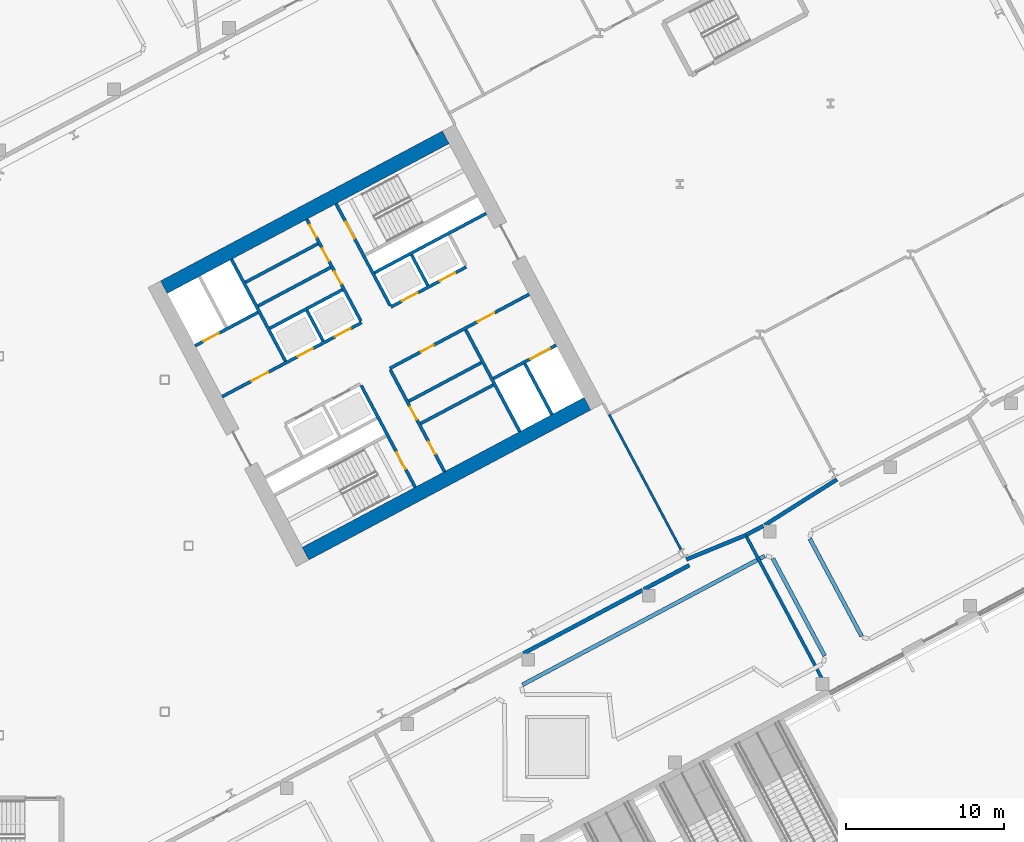
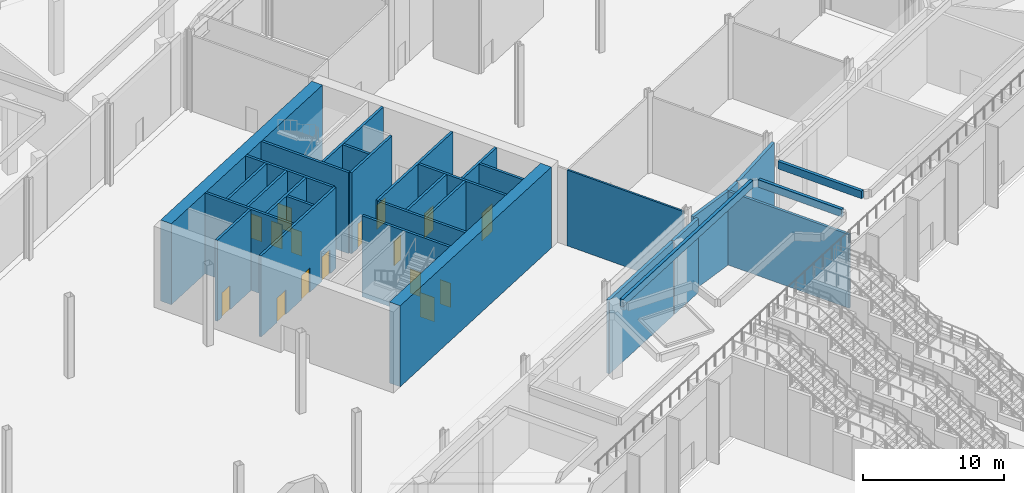
# One storey, part 20 of 57: 32 walls, 16 doors, 16 openings.
"""IFC4 building model written with IfcOpenShell, lengths in metres."""

from ifc_helpers import new_model, si_unit, direction, frame, frame_2d, origin, place, context, subcontext, project, spatial, rectangle, extrude, material, layer, layer_set, type_object, element, fill, save


model = new_model("IFC4")

# Units and contexts
model_context = context("Model", 3, precision=1e-05, world=origin(), true_north=direction((0.0, 1.0)))
body_context = subcontext(model_context, "Body", "Model", "MODEL_VIEW")
ifc_project = project(units=[si_unit("LENGTHUNIT", "METRE"), si_unit("AREAUNIT", "SQUARE_METRE"), si_unit("VOLUMEUNIT", "CUBIC_METRE"), si_unit("PLANEANGLEUNIT", "RADIAN"), si_unit("MASSUNIT", "GRAM", prefix="KILO")], contexts=[model_context])

# Site, building, storey
site_placement = place(None, origin())
site = spatial("IfcSite", under=ifc_project, at=site_placement, CompositionType="ELEMENT")
building_placement = place(site_placement, origin())
building = spatial("IfcBuilding", under=site, at=building_placement, Name="Cormorant Relay Tower", CompositionType="ELEMENT")
storey_placement = place(building_placement, origin())
storey = spatial("IfcBuildingStorey", under=building, at=storey_placement, Name="L00", CompositionType="ELEMENT", Elevation=0.0)

# Walls
ifc_material_1 = material(Name="Concrete 40 MPa", Category="concrete")
ifc_layer_1 = layer(ifc_material_1, 0.199951171875)
ifc_layer_set_1 = layer_set([ifc_layer_1], Name="Core internal wall 200")
wall_type_1 = type_object("IfcWallType", Name="Core internal wall 200", PredefinedType="SOLIDWALL", material=ifc_layer_set_1)
for number, where, z_axis, x_axis, name in (
    (1, (20.522216796875, 12.950439453125, 0.0), (0.0, 0.0, 1.0), (-0.469401318492, 0.882984938828, 0.0), "L00 core B shaft and room wall"),
    (2, (27.144287109375, 16.471435546875, 0.0), (0.0, 0.0, 1.0), (-0.469401318492, 0.882984938828, 0.0), "L00 core B shaft and room wall"),
):
    element("IfcWall", number, at=place(storey_placement, frame(where, z_axis=z_axis, x_axis=x_axis)), inside=storey, type_object=wall_type_1, Name=name, PredefinedType="SOLIDWALL", context=body_context, shape_type="SweptSolid", body=[
        extrude(rectangle(XDim=2.199951171875, YDim=0.199951171875, at=frame_2d((1.10009765625, 0.0))), origin(), (0.0, 0.0, 1.0), 7.0),
    ])
for number, where, z_axis, x_axis, name in (
    (3, (26.692138671875, 7.73681640625, 0.0), (0.0, 0.0, 1.0), (0.882953967957, 0.469459572775, 0.0), "L00 core B shaft and room wall"),
    (4, (16.395751953125, 15.17333984375, 0.0), (0.0, 0.0, 1.0), (0.882934506056, 0.469496174655, 0.0), "L00 core B shaft and room wall"),
    (5, (15.59765625, 16.67431640625, 0.0), (0.0, 0.0, 1.0), (0.882934506056, 0.469496174655, 0.0), "L00 core B shaft and room wall"),
):
    element("IfcWall", number, at=place(storey_placement, frame(where, z_axis=z_axis, x_axis=x_axis)), inside=storey, type_object=wall_type_1, Name=name, PredefinedType="SOLIDWALL", context=body_context, shape_type="SweptSolid", body=[
        extrude(rectangle(XDim=5.199951171875, YDim=0.199951171875, at=frame_2d((2.60009765625, 0.0))), origin(), (0.0, 0.0, 1.0), 7.0),
    ])
ifc_material_2 = material(Name="Concrete 50 MPa", Category="concrete")
ifc_layer_2 = layer(ifc_material_2, 0.199951171875)
ifc_layer_set_2 = layer_set([ifc_layer_2], Name="Core shaft wall 200")
wall_type_2 = type_object("IfcWallType", Name="Core shaft wall 200", PredefinedType="SHEAR", material=ifc_layer_set_2)
wall_1_placement = place(storey_placement, frame((18.138427734375, 11.682861328125, 0.0), z_axis=(0.0, 0.0, 1.0), x_axis=(-0.469480409012, 0.88294288918, 0.0)))
element("IfcWall", 6, at=wall_1_placement, inside=storey, type_object=wall_type_2, Name="L00 core B shaft wall", PredefinedType="SHEAR", context=body_context, shape_type="SweptSolid", body=[
    extrude(rectangle(XDim=7.300048828125, YDim=0.199951171875, at=frame_2d((3.64990234375, 0.0))), origin(), (0.0, 0.0, 1.0), 7.0),
])

# Wall, opening, door
wall_2_placement = place(storey_placement, frame((26.345947265625, 3.701904296875, 0.0), z_axis=(0.0, 0.0, 1.0), x_axis=(-0.469480409012, 0.88294288918, 0.0)))
wall_2 = element("IfcWall", 7, at=wall_2_placement, inside=storey, type_object=wall_type_2, Name="L00 core B shaft wall", PredefinedType="SHEAR", context=body_context, shape_type="SweptSolid", body=[
    extrude(rectangle(XDim=7.300048828125, YDim=0.199951171875, at=frame_2d((3.64990234375, 0.0))), origin(), (0.0, 0.0, 1.0), 7.0),
])
opening_1_placement = place(wall_2_placement, frame((1.300048828125, 0.0, 0.0)))
opening_1 = element("IfcOpeningElement", 8, at=opening_1_placement, cuts=wall_2, Name="Opening CDB-009", PredefinedType="OPENING", context=body_context, shape_type="SweptSolid", body=[
    extrude(rectangle(XDim=1.199951171875, YDim=2.10009765625, at=frame_2d((0.60009765625, 1.050048828125))), frame((0.0, 0.10986328125, 0.0), z_axis=(0.0, -1.0, 0.0), x_axis=(1.0, 0.0, 0.0)), (0.0, 0.0, 1.0), 0.219970703125),
])
ifc_material_3 = material(Name="Steel fire door", Category="steel")
door_type_1 = type_object("IfcDoorType", Name="Core stair door 1200x2100", OperationType="SINGLE_SWING_LEFT", PredefinedType="DOOR", material=ifc_material_3)
door_1_placement = place(opening_1_placement, origin())
door_1 = element("IfcDoor", 9, at=door_1_placement, inside=storey, type_object=door_type_1, Name="Core stair door 1200x2100", OperationType="SINGLE_SWING_RIGHT", OverallHeight=2.10009765625, OverallWidth=1.199951171875, PredefinedType="DOOR", context=body_context, shape_type="SweptSolid", body=[
    extrude(rectangle(XDim=1.199951171875, YDim=2.10009765625, at=frame_2d((0.60009765625, 1.050048828125))), frame((0.0, 0.02490234375, 0.0), z_axis=(0.0, -1.0, 0.0), x_axis=(1.0, 0.0, 0.0)), (0.0, 0.0, 1.0), 0.050048828125),
])
fill(opening_1, door_1)

# Wall, openings, doors
wall_3_placement = place(storey_placement, frame((22.90625, 14.218017578125, 0.0), z_axis=(0.0, 0.0, 1.0), x_axis=(-0.469480409012, 0.88294288918, 0.0)))
wall_3 = element("IfcWall", 10, at=wall_3_placement, inside=storey, type_object=wall_type_2, Name="L00 core B shaft wall", PredefinedType="SHEAR", context=body_context, shape_type="SweptSolid", body=[
    extrude(rectangle(XDim=7.300048828125, YDim=0.199951171875, at=frame_2d((3.64990234375, 0.0))), origin(), (0.0, 0.0, 1.0), 7.0),
])
opening_2_placement = place(wall_3_placement, frame((2.64990234375, 0.0, 0.0)))
opening_2 = element("IfcOpeningElement", 11, at=opening_2_placement, cuts=wall_3, Name="Opening CDD-044", PredefinedType="OPENING", context=body_context, shape_type="SweptSolid", body=[
    extrude(rectangle(XDim=0.89990234375, YDim=2.10009765625, at=frame_2d((0.449951171875, 1.050048828125))), frame((0.0, 0.10986328125, 0.0), z_axis=(0.0, -1.0, 0.0), x_axis=(1.0, 0.0, 0.0)), (0.0, 0.0, 1.0), 0.219970703125),
])
opening_3_placement = place(wall_3_placement, frame((4.300048828125, 0.0, 0.0)))
opening_3 = element("IfcOpeningElement", 12, at=opening_3_placement, cuts=wall_3, Name="Opening CDD-045", PredefinedType="OPENING", context=body_context, shape_type="SweptSolid", body=[
    extrude(rectangle(XDim=0.89990234375, YDim=2.10009765625, at=frame_2d((0.449951171875, 1.050048828125))), frame((0.0, 0.10986328125, 0.0), z_axis=(0.0, -1.0, 0.0), x_axis=(1.0, 0.0, 0.0)), (0.0, 0.0, 1.0), 0.219970703125),
])
opening_4_placement = place(wall_3_placement, frame((6.0, 0.0, 0.0)))
opening_4 = element("IfcOpeningElement", 13, at=opening_4_placement, cuts=wall_3, Name="Opening CDD-046", PredefinedType="OPENING", context=body_context, shape_type="SweptSolid", body=[
    extrude(rectangle(XDim=0.89990234375, YDim=2.10009765625, at=frame_2d((0.449951171875, 1.050048828125))), frame((0.0, 0.10986328125, 0.0), z_axis=(0.0, -1.0, 0.0), x_axis=(1.0, 0.0, 0.0)), (0.0, 0.0, 1.0), 0.219970703125),
])
ifc_material_4 = material(Name="Steel fire door", Category="steel")
door_type_2 = type_object("IfcDoorType", Name="Core room door 900x2100", OperationType="SINGLE_SWING_LEFT", PredefinedType="DOOR", material=ifc_material_4)
door_2_placement = place(opening_2_placement, origin())
door_2 = element("IfcDoor", 14, at=door_2_placement, inside=storey, type_object=door_type_2, Name="Core room door 900x2100", OperationType="SINGLE_SWING_RIGHT", OverallHeight=2.10009765625, OverallWidth=0.89990234375, PredefinedType="DOOR", context=body_context, shape_type="SweptSolid", body=[
    extrude(rectangle(XDim=0.89990234375, YDim=2.10009765625, at=frame_2d((0.449951171875, 1.050048828125))), frame((0.0, 0.02490234375, 0.0), z_axis=(0.0, -1.0, 0.0), x_axis=(1.0, 0.0, 0.0)), (0.0, 0.0, 1.0), 0.050048828125),
])
fill(opening_2, door_2)
door_3_placement = place(opening_3_placement, origin())
door_3 = element("IfcDoor", 15, at=door_3_placement, inside=storey, type_object=door_type_2, Name="Core room door 900x2100", OperationType="SINGLE_SWING_LEFT", OverallHeight=2.10009765625, OverallWidth=0.89990234375, PredefinedType="DOOR", context=body_context, shape_type="SweptSolid", body=[
    extrude(rectangle(XDim=0.89990234375, YDim=2.10009765625, at=frame_2d((0.449951171875, 1.050048828125))), frame((0.0, 0.02490234375, 0.0), z_axis=(0.0, -1.0, 0.0), x_axis=(1.0, 0.0, 0.0)), (0.0, 0.0, 1.0), 0.050048828125),
])
fill(opening_3, door_3)
door_4_placement = place(opening_4_placement, origin())
door_4 = element("IfcDoor", 16, at=door_4_placement, inside=storey, type_object=door_type_2, Name="Core room door 900x2100", OperationType="SINGLE_SWING_LEFT", OverallHeight=2.10009765625, OverallWidth=0.89990234375, PredefinedType="DOOR", context=body_context, shape_type="SweptSolid", body=[
    extrude(rectangle(XDim=0.89990234375, YDim=2.10009765625, at=frame_2d((0.449951171875, 1.050048828125))), frame((0.0, 0.02490234375, 0.0), z_axis=(0.0, -1.0, 0.0), x_axis=(1.0, 0.0, 0.0)), (0.0, 0.0, 1.0), 0.050048828125),
])
fill(opening_4, door_4)

wall_4_placement = place(storey_placement, frame((28.199951171875, 4.687744140625, 0.0), z_axis=(0.0, 0.0, 1.0), x_axis=(-0.469454336211, 0.882956752176, 0.0)))
wall_4 = element("IfcWall", 17, at=wall_4_placement, inside=storey, type_object=wall_type_2, Name="L00 core B shaft wall", PredefinedType="SHEAR", context=body_context, shape_type="SweptSolid", body=[
    extrude(rectangle(XDim=7.300048828125, YDim=0.199951171875, at=frame_2d((3.64990234375, 0.0))), origin(), (0.0, 0.0, 1.0), 7.0),
])
opening_5_placement = place(wall_4_placement, frame((1.25, 0.0, 0.0)))
opening_5 = element("IfcOpeningElement", 18, at=opening_5_placement, cuts=wall_4, Name="Opening CDD-047", PredefinedType="OPENING", context=body_context, shape_type="SweptSolid", body=[
    extrude(rectangle(XDim=0.89990234375, YDim=2.10009765625, at=frame_2d((0.449951171875, 1.050048828125))), frame((0.0, 0.10986328125, 0.0), z_axis=(0.0, -1.0, 0.0), x_axis=(1.0, 0.0, 0.0)), (0.0, 0.0, 1.0), 0.219970703125),
])
opening_6_placement = place(wall_4_placement, frame((3.75, 0.0, 0.0)))
opening_6 = element("IfcOpeningElement", 19, at=opening_6_placement, cuts=wall_4, Name="Opening CDD-048", PredefinedType="OPENING", context=body_context, shape_type="SweptSolid", body=[
    extrude(rectangle(XDim=0.89990234375, YDim=2.10009765625, at=frame_2d((0.449951171875, 1.050048828125))), frame((0.0, 0.10986328125, 0.0), z_axis=(0.0, -1.0, 0.0), x_axis=(1.0, 0.0, 0.0)), (0.0, 0.0, 1.0), 0.219970703125),
])
door_5_placement = place(opening_5_placement, frame((0.89990234375, 0.0, 0.0), z_axis=(0.0, 0.0, 1.0), x_axis=(-1.0, 0.0, 0.0)))
door_5 = element("IfcDoor", 20, at=door_5_placement, inside=storey, type_object=door_type_2, Name="Core room door 900x2100", OperationType="SINGLE_SWING_LEFT", OverallHeight=2.10009765625, OverallWidth=0.89990234375, PredefinedType="DOOR", context=body_context, shape_type="SweptSolid", body=[
    extrude(rectangle(XDim=0.89990234375, YDim=2.10009765625, at=frame_2d((0.449951171875, 1.050048828125))), frame((0.0, 0.02490234375, 0.0), z_axis=(0.0, -1.0, 0.0), x_axis=(1.0, 0.0, 0.0)), (0.0, 0.0, 1.0), 0.050048828125),
])
fill(opening_5, door_5)
door_6_placement = place(opening_6_placement, frame((0.89990234375, 0.0, 0.0), z_axis=(0.0, 0.0, 1.0), x_axis=(-1.0, 0.0, 0.0)))
door_6 = element("IfcDoor", 21, at=door_6_placement, inside=storey, type_object=door_type_2, Name="Core room door 900x2100", OperationType="SINGLE_SWING_LEFT", OverallHeight=2.10009765625, OverallWidth=0.89990234375, PredefinedType="DOOR", context=body_context, shape_type="SweptSolid", body=[
    extrude(rectangle(XDim=0.89990234375, YDim=2.10009765625, at=frame_2d((0.449951171875, 1.050048828125))), frame((0.0, 0.02490234375, 0.0), z_axis=(0.0, -1.0, 0.0), x_axis=(1.0, 0.0, 0.0)), (0.0, 0.0, 1.0), 0.050048828125),
])
fill(opening_6, door_6)

# Wall, opening, door
wall_5_placement = place(storey_placement, frame((24.760498046875, 15.2041015625, 0.0), z_axis=(0.0, 0.0, 1.0), x_axis=(-0.469494272526, 0.882935517501, 0.0)))
wall_5 = element("IfcWall", 22, at=wall_5_placement, inside=storey, type_object=wall_type_2, Name="L00 core B shaft wall", PredefinedType="SHEAR", context=body_context, shape_type="SweptSolid", body=[
    extrude(rectangle(XDim=7.2998046875, YDim=0.199951171875, at=frame_2d((3.64990234375, 0.0))), origin(), (0.0, 0.0, 1.0), 7.0),
])
opening_7_placement = place(wall_5_placement, frame((4.800048828125, 0.0, 0.0)))
opening_7 = element("IfcOpeningElement", 23, at=opening_7_placement, cuts=wall_5, Name="Opening CDB-010", PredefinedType="OPENING", context=body_context, shape_type="SweptSolid", body=[
    extrude(rectangle(XDim=1.199951171875, YDim=2.10009765625, at=frame_2d((0.60009765625, 1.050048828125))), frame((0.0, 0.10986328125, 0.0), z_axis=(0.0, -1.0, 0.0), x_axis=(1.0, 0.0, 0.0)), (0.0, 0.0, 1.0), 0.219970703125),
])
door_7_placement = place(opening_7_placement, frame((1.199951171875, 0.0, 0.0), z_axis=(0.0, 0.0, 1.0), x_axis=(-1.0, 0.0, 0.0)))
door_7 = element("IfcDoor", 24, at=door_7_placement, inside=storey, type_object=door_type_1, Name="Core stair door 1200x2100", OperationType="SINGLE_SWING_RIGHT", OverallHeight=2.10009765625, OverallWidth=1.199951171875, PredefinedType="DOOR", context=body_context, shape_type="SweptSolid", body=[
    extrude(rectangle(XDim=1.199951171875, YDim=2.10009765625, at=frame_2d((0.60009765625, 1.050048828125))), frame((0.0, 0.02490234375, 0.0), z_axis=(0.0, -1.0, 0.0), x_axis=(1.0, 0.0, 0.0)), (0.0, 0.0, 1.0), 0.050048828125),
])
fill(opening_7, door_7)

# Walls
wall_6_placement = place(storey_placement, frame((32.968017578125, 7.222900390625, 0.0), z_axis=(0.0, 0.0, 1.0), x_axis=(-0.469480409012, 0.88294288918, 0.0)))
element("IfcWall", 25, at=wall_6_placement, inside=storey, type_object=wall_type_2, Name="L00 core B shaft wall", PredefinedType="SHEAR", context=body_context, shape_type="SweptSolid", body=[
    extrude(rectangle(XDim=7.300048828125, YDim=0.199951171875, at=frame_2d((3.64990234375, 0.0))), origin(), (0.0, 0.0, 1.0), 7.0),
])
wall_7_placement = place(storey_placement, frame((34.998779296875, 8.302734375, 0.0), z_axis=(0.0, 0.0, 1.0), x_axis=(-0.4694665462, 0.882950260207, 0.0)))
element("IfcWall", 26, at=wall_7_placement, inside=storey, type_object=wall_type_2, Name="L00 core B shaft wall", PredefinedType="SHEAR", context=body_context, shape_type="SweptSolid", body=[
    extrude(rectangle(XDim=3.650146484375, YDim=0.199951171875, at=frame_2d((1.8251953125, 0.0))), origin(), (0.0, 0.0, 1.0), 7.0),
])

# Wall, opening, door
wall_8_placement = place(storey_placement, frame((31.295654296875, 10.5810546875, 0.0), z_axis=(0.0, 0.0, 1.0), x_axis=(0.882960433586, 0.469447412093, 0.0)))
wall_8 = element("IfcWall", 27, at=wall_8_placement, inside=storey, type_object=wall_type_2, Name="L00 core B shaft wall", PredefinedType="SHEAR", context=body_context, shape_type="SweptSolid", body=[
    extrude(rectangle(XDim=4.5, YDim=0.199951171875, at=frame_2d((2.25, 0.0))), origin(), (0.0, 0.0, 1.0), 7.0),
])
opening_8_placement = place(wall_8_placement, frame((2.64990234375, 0.0, 0.0)))
opening_8 = element("IfcOpeningElement", 28, at=opening_8_placement, cuts=wall_8, Name="Opening LD3-004", PredefinedType="OPENING", context=body_context, shape_type="SweptSolid", body=[
    extrude(rectangle(XDim=1.39990234375, YDim=2.39990234375, at=frame_2d((0.699951171875, 1.199951171875))), frame((0.0, 0.10986328125, 0.0), z_axis=(0.0, -1.0, 0.0), x_axis=(1.0, 0.0, 0.0)), (0.0, 0.0, 1.0), 0.219970703125),
])
ifc_material_5 = material(Name="Stainless steel 316", Category="steel")
door_type_3 = type_object("IfcDoorType", Name="Lift landing door 1400x2400", OperationType="DOUBLE_DOOR_SLIDING", PredefinedType="DOOR", material=ifc_material_5)
door_8_placement = place(opening_8_placement, origin())
door_8 = element("IfcDoor", 29, at=door_8_placement, inside=storey, type_object=door_type_3, Name="SV2 landing door", OperationType="DOUBLE_DOOR_SLIDING", OverallHeight=2.39990234375, OverallWidth=1.39990234375, PredefinedType="DOOR", context=body_context, shape_type="SweptSolid", body=[
    extrude(rectangle(XDim=1.39990234375, YDim=2.39990234375, at=frame_2d((0.699951171875, 1.199951171875))), frame((0.0, 0.02490234375, 0.0), z_axis=(0.0, -1.0, 0.0), x_axis=(1.0, 0.0, 0.0)), (0.0, 0.0, 1.0), 0.050048828125),
])
fill(opening_8, door_8)

# Wall
wall_9_placement = place(storey_placement, frame((25.94091796875, 9.149658203125, 0.0), z_axis=(0.0, 0.0, 1.0), x_axis=(0.882953967957, 0.469459572775, 0.0)))
element("IfcWall", 30, at=wall_9_placement, inside=storey, type_object=wall_type_2, Name="L00 core B shaft wall", PredefinedType="SHEAR", context=body_context, shape_type="SweptSolid", body=[
    extrude(rectangle(XDim=5.199951171875, YDim=0.199951171875, at=frame_2d((2.60009765625, 0.0))), origin(), (0.0, 0.0, 1.0), 7.0),
])

# Wall, openings, doors
wall_10_placement = place(storey_placement, frame((24.72607421875, 11.2216796875, 0.0), z_axis=(0.0, 0.0, 1.0), x_axis=(0.882940221191, 0.469485426614, 0.0)))
wall_10 = element("IfcWall", 31, at=wall_10_placement, inside=storey, type_object=wall_type_2, Name="L00 core B shaft wall", PredefinedType="SHEAR", context=body_context, shape_type="SweptSolid", body=[
    extrude(rectangle(XDim=10.0, YDim=0.199951171875, at=frame_2d((5.0, 0.0))), origin(), (0.0, 0.0, 1.0), 7.0),
])
opening_9_placement = place(wall_10_placement, frame((6.300048828125, 0.0, 0.0)))
opening_9 = element("IfcOpeningElement", 32, at=opening_9_placement, cuts=wall_10, Name="Opening CDC-008", PredefinedType="OPENING", context=body_context, shape_type="SweptSolid", body=[
    extrude(rectangle(XDim=1.199951171875, YDim=2.10009765625, at=frame_2d((0.60009765625, 1.050048828125))), frame((0.0, 0.10986328125, 0.0), z_axis=(0.0, -1.0, 0.0), x_axis=(1.0, 0.0, 0.0)), (0.0, 0.0, 1.0), 0.219970703125),
])
opening_10_placement = place(wall_10_placement, frame((2.25, 0.0, 0.0)))
opening_10 = element("IfcOpeningElement", 33, at=opening_10_placement, cuts=wall_10, Name="Opening CDD-043", PredefinedType="OPENING", context=body_context, shape_type="SweptSolid", body=[
    extrude(rectangle(XDim=0.89990234375, YDim=2.10009765625, at=frame_2d((0.449951171875, 1.050048828125))), frame((0.0, 0.10986328125, 0.0), z_axis=(0.0, -1.0, 0.0), x_axis=(1.0, 0.0, 0.0)), (0.0, 0.0, 1.0), 0.219970703125),
])
ifc_material_6 = material(Name="Steel fire door", Category="steel")
door_type_4 = type_object("IfcDoorType", Name="Core lobby door 1200x2100", OperationType="SINGLE_SWING_LEFT", PredefinedType="DOOR", material=ifc_material_6)
door_9_placement = place(opening_9_placement, frame((1.199951171875, 0.0, 0.0), z_axis=(0.0, 0.0, 1.0), x_axis=(-1.0, 0.0, 0.0)))
door_9 = element("IfcDoor", 34, at=door_9_placement, inside=storey, type_object=door_type_4, Name="Core lobby door 1200x2100", OperationType="SINGLE_SWING_RIGHT", OverallHeight=2.10009765625, OverallWidth=1.199951171875, PredefinedType="DOOR", context=body_context, shape_type="SweptSolid", body=[
    extrude(rectangle(XDim=1.199951171875, YDim=2.10009765625, at=frame_2d((0.60009765625, 1.050048828125))), frame((0.0, 0.02490234375, 0.0), z_axis=(0.0, -1.0, 0.0), x_axis=(1.0, 0.0, 0.0)), (0.0, 0.0, 1.0), 0.050048828125),
])
fill(opening_9, door_9)
door_10_placement = place(opening_10_placement, frame((0.89990234375, 0.0, 0.0), z_axis=(0.0, 0.0, 1.0), x_axis=(-1.0, 0.0, 0.0)))
door_10 = element("IfcDoor", 35, at=door_10_placement, inside=storey, type_object=door_type_2, Name="Core room door 900x2100", OperationType="SINGLE_SWING_RIGHT", OverallHeight=2.10009765625, OverallWidth=0.89990234375, PredefinedType="DOOR", context=body_context, shape_type="SweptSolid", body=[
    extrude(rectangle(XDim=0.89990234375, YDim=2.10009765625, at=frame_2d((0.449951171875, 1.050048828125))), frame((0.0, 0.02490234375, 0.0), z_axis=(0.0, -1.0, 0.0), x_axis=(1.0, 0.0, 0.0)), (0.0, 0.0, 1.0), 0.050048828125),
])
fill(opening_10, door_10)

wall_11_placement = place(storey_placement, frame((14.123779296875, 9.43505859375, 0.0), z_axis=(0.0, 0.0, 1.0), x_axis=(0.882940221191, 0.469485426614, 0.0)))
wall_11 = element("IfcWall", 36, at=wall_11_placement, inside=storey, type_object=wall_type_2, Name="L00 core B shaft wall", PredefinedType="SHEAR", context=body_context, shape_type="SweptSolid", body=[
    extrude(rectangle(XDim=10.0, YDim=0.199951171875, at=frame_2d((5.0, 0.0))), origin(), (0.0, 0.0, 1.0), 7.0),
])
opening_11_placement = place(wall_11_placement, frame((2.10009765625, 0.0, 0.0)))
opening_11 = element("IfcOpeningElement", 37, at=opening_11_placement, cuts=wall_11, Name="Opening CDC-007", PredefinedType="OPENING", context=body_context, shape_type="SweptSolid", body=[
    extrude(rectangle(XDim=1.199951171875, YDim=2.10009765625, at=frame_2d((0.60009765625, 1.050048828125))), frame((0.0, 0.10986328125, 0.0), z_axis=(0.0, -1.0, 0.0), x_axis=(1.0, 0.0, 0.0)), (0.0, 0.0, 1.0), 0.219970703125),
])
opening_12_placement = place(wall_11_placement, frame((5.39990234375, 0.0, 0.0)))
opening_12 = element("IfcOpeningElement", 38, at=opening_12_placement, cuts=wall_11, Name="Opening LD1-004", PredefinedType="OPENING", context=body_context, shape_type="SweptSolid", body=[
    extrude(rectangle(XDim=1.10009765625, YDim=2.10009765625, at=frame_2d((0.550048828125, 1.050048828125))), frame((0.0, 0.10986328125, 0.0), z_axis=(0.0, -1.0, 0.0), x_axis=(1.0, 0.0, 0.0)), (0.0, 0.0, 1.0), 0.219970703125),
])
opening_13_placement = place(wall_11_placement, frame((8.10009765625, 0.0, 0.0)))
opening_13 = element("IfcOpeningElement", 39, at=opening_13_placement, cuts=wall_11, Name="Opening LD1-005", PredefinedType="OPENING", context=body_context, shape_type="SweptSolid", body=[
    extrude(rectangle(XDim=1.10009765625, YDim=2.10009765625, at=frame_2d((0.550048828125, 1.050048828125))), frame((0.0, 0.10986328125, 0.0), z_axis=(0.0, -1.0, 0.0), x_axis=(1.0, 0.0, 0.0)), (0.0, 0.0, 1.0), 0.219970703125),
])
door_11_placement = place(opening_11_placement, origin())
door_11 = element("IfcDoor", 40, at=door_11_placement, inside=storey, type_object=door_type_4, Name="Core lobby door 1200x2100", OperationType="SINGLE_SWING_RIGHT", OverallHeight=2.10009765625, OverallWidth=1.199951171875, PredefinedType="DOOR", context=body_context, shape_type="SweptSolid", body=[
    extrude(rectangle(XDim=1.199951171875, YDim=2.10009765625, at=frame_2d((0.60009765625, 1.050048828125))), frame((0.0, 0.02490234375, 0.0), z_axis=(0.0, -1.0, 0.0), x_axis=(1.0, 0.0, 0.0)), (0.0, 0.0, 1.0), 0.050048828125),
])
fill(opening_11, door_11)
ifc_material_7 = material(Name="Stainless steel 316", Category="steel")
door_type_5 = type_object("IfcDoorType", Name="Lift landing door 1100x2100", OperationType="DOUBLE_DOOR_SLIDING", PredefinedType="DOOR", material=ifc_material_7)
door_12_placement = place(opening_12_placement, origin())
door_12 = element("IfcDoor", 41, at=door_12_placement, inside=storey, type_object=door_type_5, Name="LR1 landing door", OperationType="DOUBLE_DOOR_SLIDING", OverallHeight=2.10009765625, OverallWidth=1.10009765625, PredefinedType="DOOR", context=body_context, shape_type="SweptSolid", body=[
    extrude(rectangle(XDim=1.10009765625, YDim=2.10009765625, at=frame_2d((0.550048828125, 1.050048828125))), frame((0.0, 0.02490234375, 0.0), z_axis=(0.0, -1.0, 0.0), x_axis=(1.0, 0.0, 0.0)), (0.0, 0.0, 1.0), 0.050048828125),
])
fill(opening_12, door_12)
door_13_placement = place(opening_13_placement, origin())
door_13 = element("IfcDoor", 42, at=door_13_placement, inside=storey, type_object=door_type_5, Name="LR2 landing door", OperationType="DOUBLE_DOOR_SLIDING", OverallHeight=2.10009765625, OverallWidth=1.10009765625, PredefinedType="DOOR", context=body_context, shape_type="SweptSolid", body=[
    extrude(rectangle(XDim=1.10009765625, YDim=2.10009765625, at=frame_2d((0.550048828125, 1.050048828125))), frame((0.0, 0.02490234375, 0.0), z_axis=(0.0, -1.0, 0.0), x_axis=(1.0, 0.0, 0.0)), (0.0, 0.0, 1.0), 0.050048828125),
])
fill(opening_13, door_13)

wall_12_placement = place(storey_placement, frame((24.807373046875, 15.11572265625, 0.0), z_axis=(0.0, 0.0, 1.0), x_axis=(0.882942972946, 0.469480251476, 0.0)))
wall_12 = element("IfcWall", 43, at=wall_12_placement, inside=storey, type_object=wall_type_2, Name="L00 core B shaft wall", PredefinedType="SHEAR", context=body_context, shape_type="SweptSolid", body=[
    extrude(rectangle(XDim=5.39990234375, YDim=0.199951171875, at=frame_2d((2.699951171875, 0.0))), origin(), (0.0, 0.0, 1.0), 7.0),
])
opening_14_placement = place(wall_12_placement, frame((0.800048828125, 0.0, 0.0)))
opening_14 = element("IfcOpeningElement", 44, at=opening_14_placement, cuts=wall_12, Name="Opening LD1-006", PredefinedType="OPENING", context=body_context, shape_type="SweptSolid", body=[
    extrude(rectangle(XDim=1.10009765625, YDim=2.10009765625, at=frame_2d((0.550048828125, 1.050048828125))), frame((0.0, 0.10986328125, 0.0), z_axis=(0.0, -1.0, 0.0), x_axis=(1.0, 0.0, 0.0)), (0.0, 0.0, 1.0), 0.219970703125),
])
opening_15_placement = place(wall_12_placement, frame((3.5, 0.0, 0.0)))
opening_15 = element("IfcOpeningElement", 45, at=opening_15_placement, cuts=wall_12, Name="Opening LD1-007", PredefinedType="OPENING", context=body_context, shape_type="SweptSolid", body=[
    extrude(rectangle(XDim=1.10009765625, YDim=2.10009765625, at=frame_2d((0.550048828125, 1.050048828125))), frame((0.0, 0.10986328125, 0.0), z_axis=(0.0, -1.0, 0.0), x_axis=(1.0, 0.0, 0.0)), (0.0, 0.0, 1.0), 0.219970703125),
])
door_14_placement = place(opening_14_placement, origin())
door_14 = element("IfcDoor", 46, at=door_14_placement, inside=storey, type_object=door_type_5, Name="LR3 landing door", OperationType="DOUBLE_DOOR_SLIDING", OverallHeight=2.10009765625, OverallWidth=1.10009765625, PredefinedType="DOOR", context=body_context, shape_type="SweptSolid", body=[
    extrude(rectangle(XDim=1.10009765625, YDim=2.10009765625, at=frame_2d((0.550048828125, 1.050048828125))), frame((0.0, 0.02490234375, 0.0), z_axis=(0.0, -1.0, 0.0), x_axis=(1.0, 0.0, 0.0)), (0.0, 0.0, 1.0), 0.050048828125),
])
fill(opening_14, door_14)
door_15_placement = place(opening_15_placement, origin())
door_15 = element("IfcDoor", 47, at=door_15_placement, inside=storey, type_object=door_type_5, Name="LR4 landing door", OperationType="DOUBLE_DOOR_SLIDING", OverallHeight=2.10009765625, OverallWidth=1.10009765625, PredefinedType="DOOR", context=body_context, shape_type="SweptSolid", body=[
    extrude(rectangle(XDim=1.10009765625, YDim=2.10009765625, at=frame_2d((0.550048828125, 1.050048828125))), frame((0.0, 0.02490234375, 0.0), z_axis=(0.0, -1.0, 0.0), x_axis=(1.0, 0.0, 0.0)), (0.0, 0.0, 1.0), 0.050048828125),
])
fill(opening_15, door_15)

# Walls
wall_13_placement = place(storey_placement, frame((17.146728515625, 13.7607421875, 0.0), z_axis=(0.0, 0.0, 1.0), x_axis=(0.882964314875, 0.469440111896, 0.0)))
element("IfcWall", 48, at=wall_13_placement, inside=storey, type_object=wall_type_2, Name="L00 core B shaft wall", PredefinedType="SHEAR", context=body_context, shape_type="SweptSolid", body=[
    extrude(rectangle(XDim=5.2001953125, YDim=0.199951171875, at=frame_2d((2.60009765625, 0.0))), origin(), (0.0, 0.0, 1.0), 7.0),
])
wall_14_placement = place(storey_placement, frame((23.76904296875, 17.28173828125, 0.0), z_axis=(0.0, 0.0, 1.0), x_axis=(0.882940221191, 0.469485426614, 0.0)))
element("IfcWall", 49, at=wall_14_placement, inside=storey, type_object=wall_type_2, Name="L00 core B shaft wall", PredefinedType="SHEAR", context=body_context, shape_type="SweptSolid", body=[
    extrude(rectangle(XDim=8.0, YDim=0.199951171875, at=frame_2d((4.0, 0.0))), origin(), (0.0, 0.0, 1.0), 7.0),
])

# Wall, opening, door
wall_15_placement = place(storey_placement, frame((12.41015625, 12.657958984375, 0.0), z_axis=(0.0, 0.0, 1.0), x_axis=(0.8829484765, 0.469469900894, 0.0)))
wall_15 = element("IfcWall", 50, at=wall_15_placement, inside=storey, type_object=wall_type_2, Name="L00 core B shaft wall", PredefinedType="SHEAR", context=body_context, shape_type="SweptSolid", body=[
    extrude(rectangle(XDim=4.499755859375, YDim=0.199951171875, at=frame_2d((2.25, 0.0))), origin(), (0.0, 0.0, 1.0), 7.0),
])
opening_16_placement = place(wall_15_placement, frame((0.60009765625, 0.0, 0.0)))
opening_16 = element("IfcOpeningElement", 51, at=opening_16_placement, cuts=wall_15, Name="Opening LD1-010", PredefinedType="OPENING", context=body_context, shape_type="SweptSolid", body=[
    extrude(rectangle(XDim=1.10009765625, YDim=2.10009765625, at=frame_2d((0.550048828125, 1.050048828125))), frame((0.0, 0.10986328125, 0.0), z_axis=(0.0, -1.0, 0.0), x_axis=(1.0, 0.0, 0.0)), (0.0, 0.0, 1.0), 0.219970703125),
])
door_16_placement = place(opening_16_placement, origin())
door_16 = element("IfcDoor", 52, at=door_16_placement, inside=storey, type_object=door_type_5, Name="FF2 landing door", OperationType="DOUBLE_DOOR_SLIDING", OverallHeight=2.10009765625, OverallWidth=1.10009765625, PredefinedType="DOOR", context=body_context, shape_type="SweptSolid", body=[
    extrude(rectangle(XDim=1.10009765625, YDim=2.10009765625, at=frame_2d((0.550048828125, 1.050048828125))), frame((0.0, 0.02490234375, 0.0), z_axis=(0.0, -1.0, 0.0), x_axis=(1.0, 0.0, 0.0)), (0.0, 0.0, 1.0), 0.050048828125),
])
fill(opening_16, door_16)

# Walls
ifc_material_8 = material(Name="Concrete 70 MPa", Category="concrete")
ifc_layer_3 = layer(ifc_material_8, 0.89990234375)
ifc_layer_set_3 = layer_set([ifc_layer_3], Name="Core wall 900")
wall_type_3 = type_object("IfcWallType", Name="Core wall 900", PredefinedType="SHEAR", material=ifc_layer_set_3)
for number, where, z_axis, x_axis, name in (
    (53, (19.4052734375, -0.498046875, 0.0), (0.0, 0.0, 1.0), (0.88294509198, 0.469476266226, 0.0), "L00 core B wall"),
    (54, (10.4384765625, 16.3662109375, 0.0), (0.0, 0.0, 1.0), (0.88294509198, 0.469476266226, 0.0), "L00 core B wall"),
):
    element("IfcWall", number, at=place(storey_placement, frame(where, z_axis=z_axis, x_axis=x_axis)), inside=storey, type_object=wall_type_3, Name=name, PredefinedType="SHEAR", context=body_context, shape_type="SweptSolid", body=[
        extrude(rectangle(XDim=20.199951171875, YDim=0.89990234375, at=frame_2d((10.10009765625, 0.0))), origin(), (0.0, 0.0, 1.0), 7.0),
    ])
ifc_material_9 = material(Name="Concrete masonry 20 MPa", Category="masonry")
ifc_layer_4 = layer(ifc_material_9, 0.25)
ifc_layer_set_4 = layer_set([ifc_layer_4], Name="Fire separation wall 250")
wall_type_4 = type_object("IfcWallType", Name="Fire separation wall 250", PredefinedType="SOLIDWALL", material=ifc_layer_set_4)
wall_16_placement = place(storey_placement, frame((47.26953125, 0.670166015625, 0.0), z_axis=(0.0, 0.0, 1.0), x_axis=(-0.925490593681, -0.378770591531, 0.0)))
element("IfcWall", 55, at=wall_16_placement, inside=storey, type_object=wall_type_4, Name="Partition", PredefinedType="SOLIDWALL", context=body_context, shape_type="SweptSolid", body=[
    extrude(rectangle(XDim=4.07177734375, YDim=0.25, at=frame_2d((2.035888671875, 0.0))), origin(), (0.0, 0.0, 1.0), 6.3701171875),
])
wall_17_placement = place(storey_placement, frame((43.698974609375, -1.228515625, 0.0), z_axis=(0.0, 0.0, 1.0), x_axis=(-0.882959571528, -0.469449033492, 0.0)))
element("IfcWall", 56, at=wall_17_placement, inside=storey, type_object=wall_type_4, Name="Partition", PredefinedType="SOLIDWALL", context=body_context, shape_type="SweptSolid", body=[
    extrude(rectangle(XDim=3.26025390625, YDim=0.25, at=frame_2d((1.630126953125, 0.0))), origin(), (0.0, 0.0, 1.0), 6.3701171875),
])
wall_18_placement = place(storey_placement, frame((40.73291015625, -2.805419921875, 0.0), z_axis=(0.0, 0.0, 1.0), x_axis=(-0.882943115894, -0.469479982635, 0.0)))
element("IfcWall", 57, at=wall_18_placement, inside=storey, type_object=wall_type_4, Name="Partition", PredefinedType="SOLIDWALL", context=body_context, shape_type="SweptSolid", body=[
    extrude(rectangle(XDim=8.555419921875, YDim=0.25, at=frame_2d((4.27783203125, 0.0))), origin(), (0.0, 0.0, 1.0), 6.3701171875),
])
wall_19_placement = place(storey_placement, frame((53.037353515625, 4.197998046875, 0.0), z_axis=(0.0, 0.0, 1.0), x_axis=(-0.845143693755, -0.534539181825, 0.0)))
element("IfcWall", 58, at=wall_19_placement, inside=storey, type_object=wall_type_4, Name="Partition", PredefinedType="SOLIDWALL", context=body_context, shape_type="SweptSolid", body=[
    extrude(rectangle(XDim=5.4140625, YDim=0.25, at=frame_2d((2.70703125, 0.0))), origin(), (0.0, 0.0, 1.0), 6.3701171875),
])
wall_20_placement = place(storey_placement, frame((48.375, 1.2578125, 0.0), z_axis=(0.0, 0.0, 1.0), x_axis=(-0.883006084416, -0.469361539631, 0.0)))
element("IfcWall", 59, at=wall_20_placement, inside=storey, type_object=wall_type_4, Name="Partition", PredefinedType="SOLIDWALL", context=body_context, shape_type="SweptSolid", body=[
    extrude(rectangle(XDim=1.239990234375, YDim=0.25, at=frame_2d((0.6201171875, 0.0))), origin(), (0.0, 0.0, 1.0), 6.3701171875),
])
ifc_material_10 = material(Name="Gypsum board on steel stud", Category="steel")
ifc_layer_5 = layer(ifc_material_10, 0.14990234375)
ifc_layer_set_5 = layer_set([ifc_layer_5], Name="Partition 150")
wall_type_5 = type_object("IfcWallType", Name="Partition 150", PredefinedType="PARTITIONING", material=ifc_layer_set_5)
wall_21_placement = place(storey_placement, frame((38.620361328125, 8.3076171875, 0.0), z_axis=(0.0, 0.0, 1.0), x_axis=(0.469473365889, -0.882946634129, 0.0)))
element("IfcWall", 60, at=wall_21_placement, inside=storey, type_object=wall_type_5, Name="Partition", PredefinedType="PARTITIONING", context=body_context, shape_type="SweptSolid", body=[
    extrude(rectangle(XDim=9.687255859375, YDim=0.14990234375, at=frame_2d((4.84375, 0.0))), origin(), (0.0, 0.0, 1.0), 6.550048828125),
])
ifc_material_11 = material(Name="Concrete masonry 20 MPa", Category="masonry")
ifc_layer_6 = layer(ifc_material_11, 0.199951171875)
ifc_layer_set_6 = layer_set([ifc_layer_6], Name="Plant room wall 200")
wall_type_6 = type_object("IfcWallType", Name="Plant room wall 200", PredefinedType="PARTITIONING", material=ifc_layer_set_6)
wall_22_placement = place(storey_placement, frame((52.062744140625, -8.35302734375, 0.0), z_axis=(0.0, 0.0, 1.0), x_axis=(-0.469467926311, 0.882949526397, 0.0)))
element("IfcWall", 61, at=wall_22_placement, inside=storey, type_object=wall_type_6, Name="Partition", PredefinedType="PARTITIONING", context=body_context, shape_type="SweptSolid", body=[
    extrude(rectangle(XDim=10.21728515625, YDim=0.199951171875, at=frame_2d((5.108642578125, 0.0))), origin(), (0.0, 0.0, 1.0), 6.3701171875),
])
ifc_material_12 = material(Name="Concrete 40 MPa", Category="concrete")
ifc_layer_7 = layer(ifc_material_12, 0.25)
ifc_layer_set_7 = layer_set([ifc_layer_7], Name="Planter kerb 250")
wall_type_7 = type_object("IfcWallType", Name="Planter kerb 250", PredefinedType="STANDARD", material=ifc_layer_set_7)
wall_23_placement = place(storey_placement, frame((33.134033203125, -8.799560546875, 7.0), z_axis=(0.0, 0.0, 1.0), x_axis=(0.882946405611, 0.469473795667, 0.0)))
element("IfcWall", 62, at=wall_23_placement, inside=storey, type_object=wall_type_7, Name="PLANTER 05 kerb", PredefinedType="STANDARD", context=body_context, shape_type="SweptSolid", body=[
    extrude(rectangle(XDim=17.368408203125, YDim=0.25, at=frame_2d((8.68408203125, 0.0))), origin(), (0.0, 0.0, 1.0), 0.64990234375),
])
for number, where, z_axis, x_axis, name in (
    (63, (48.981689453125, -0.802001953125, 7.0), (0.0, 0.0, 1.0), (0.469473426487, -0.882946601909, 0.0), "PLANTER 05 kerb"),
    (64, (54.6044921875, -5.732177734375, 7.0), (0.0, 0.0, 1.0), (-0.46950064371, 0.882932129643, 0.0), "PLANTER 07 kerb"),
):
    element("IfcWall", number, at=place(storey_placement, frame(where, z_axis=z_axis, x_axis=x_axis)), inside=storey, type_object=wall_type_7, Name=name, PredefinedType="STANDARD", context=body_context, shape_type="SweptSolid", body=[
        extrude(rectangle(XDim=6.992919921875, YDim=0.25, at=frame_2d((3.49658203125, 0.0))), origin(), (0.0, 0.0, 1.0), 0.64990234375),
    ])

save(model, "model.ifc")
